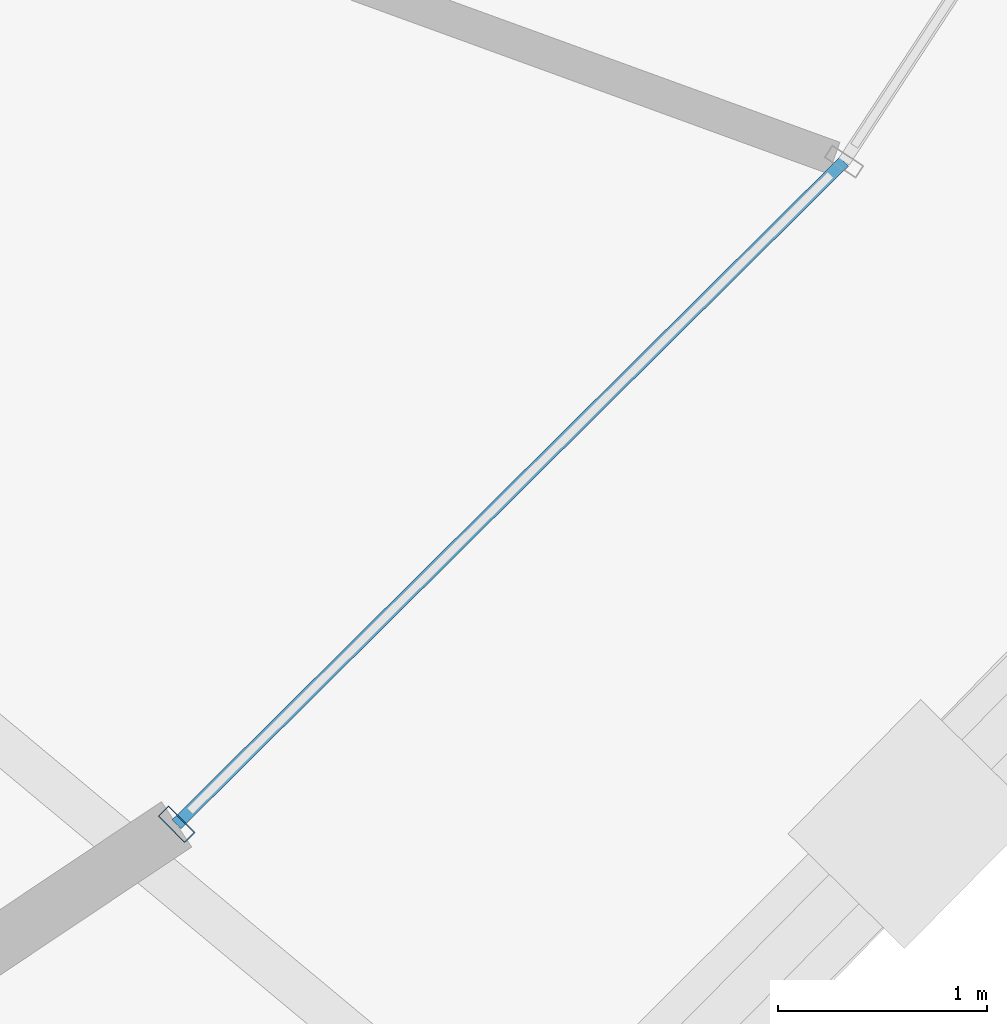
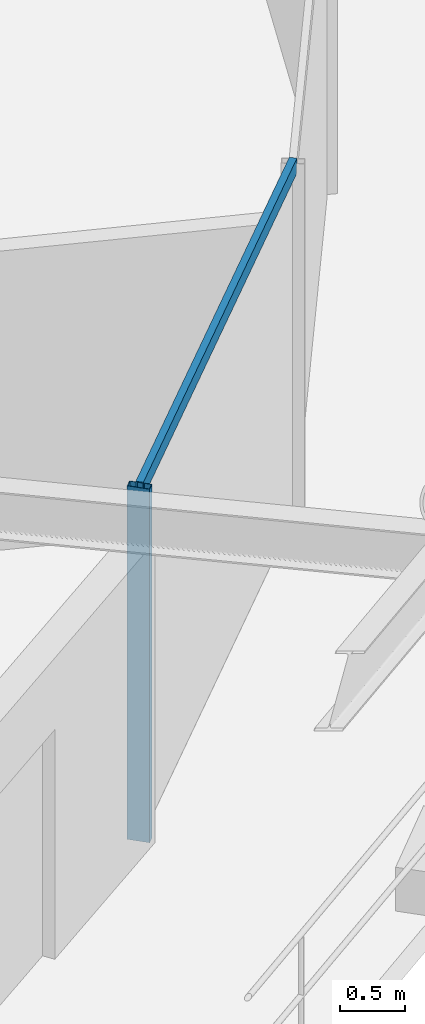
# One storey, part 7 of 19: 2 members, 1 element without a shape of its own.
"""IFC4 building model written with IfcOpenShell, lengths in metres."""

from ifc_helpers import new_model, si_unit, direction, frame, origin, origin_2d, place, context, subcontext, project, spatial, hollow_rectangle, extrude, material, layer, layer_set, material_profile, profile_set, type_object, element, aggregate, save


model = new_model("IFC4")

# Units and contexts
model_context = context("Model", 3, precision=1e-05, world=origin(), true_north=direction((0.0, 1.0)))
body_context = subcontext(model_context, "Body", "Model", "MODEL_VIEW")
ifc_project = project(units=[si_unit("LENGTHUNIT", "METRE"), si_unit("AREAUNIT", "SQUARE_METRE"), si_unit("VOLUMEUNIT", "CUBIC_METRE"), si_unit("PLANEANGLEUNIT", "RADIAN"), si_unit("MASSUNIT", "GRAM", prefix="KILO")], contexts=[model_context])

# Site, building, storey
site_placement = place(None, origin())
site = spatial("IfcSite", under=ifc_project, at=site_placement, CompositionType="ELEMENT")
building_placement = place(site_placement, origin())
building = spatial("IfcBuilding", under=site, at=building_placement, Name="Veldorina Hangang Commons", CompositionType="ELEMENT")
storey_placement = place(building_placement, frame((0.0, 0.0, 164.0)))
storey = spatial("IfcBuildingStorey", under=building, at=storey_placement, Name="L42", CompositionType="ELEMENT", Elevation=164.0)

# Curtain wall, members
ifc_material_1 = material(Name="Glass Low-E Triple IGU", Category="glass")
ifc_layer = layer(ifc_material_1, 0.179931640625)
ifc_layer_set = layer_set([ifc_layer], Name="Glass Low-E Triple IGU")
curtain_wall_type = type_object("IfcCurtainWallType", Name="CW-SYS-Z2", PredefinedType="NOTDEFINED", material=ifc_layer_set)
curtain_wall_placement = place(storey_placement, origin())
curtain_wall = element("IfcCurtainWall", 1, at=curtain_wall_placement, inside=storey, type_object=curtain_wall_type, Name="L42 unitised curtain wall CW-L42-R2", PredefinedType="NOTDEFINED")
ifc_material_2 = material(Name="Aluminium Anodized AA6063-T6", Category="aluminium")
ifc_material_profile_1 = material_profile(ifc_material_2, hollow_rectangle(XDim=0.070068359375, YDim=0.179931640625, WallThickness=0.00390625, at=origin_2d()), Name="ALU-RHS-180x70x4")
ifc_profile_set_1 = profile_set([ifc_material_profile_1], Name="Aluminium Anodized AA6063-T6")
member_type_1 = type_object("IfcMemberType", Name="CW-MUL-180", PredefinedType="MULLION", material=ifc_profile_set_1)
member_1_placement = place(storey_placement, frame((50.11767578125, 9.236083984375, 0.0), z_axis=(0.0, 0.0, 1.0), x_axis=(0.709607630125, 0.704597055961, 0.0)))
member_1 = element("IfcMember", 2, at=member_1_placement, type_object=member_type_1, Name="CW-L42-R2 vertical mullion 1", PredefinedType="MULLION", context=body_context, shape_type="SweptSolid", body=[
    extrude(hollow_rectangle(XDim=0.070068359375, YDim=0.179931640625, WallThickness=0.00390625, at=origin_2d()), origin(), (0.0, 0.0, 1.0), 3.31005859375),
])
ifc_material_profile_2 = material_profile(ifc_material_2, hollow_rectangle(XDim=0.06005859375, YDim=0.139892578125, WallThickness=0.00341796875, at=origin_2d()), Name="ALU-RHS-140x60x3.5")
ifc_profile_set_2 = profile_set([ifc_material_profile_2], Name="Aluminium Anodized AA6063-T6")
member_type_2 = type_object("IfcMemberType", Name="CW-TRN-140", PredefinedType="USERDEFINED", material=ifc_profile_set_2)
member_2_placement = place(storey_placement, frame((50.11767578125, 9.236083984375, 3.27001953125), z_axis=(0.709630442341, 0.704574080777, 0.0), x_axis=(-0.704574080777, 0.709630442341, 0.0)))
member_2 = element("IfcMember", 3, at=member_2_placement, type_object=member_type_2, Name="CW-L42-R2 facet 1 transom 1", ObjectType="TRANSOM", PredefinedType="USERDEFINED", context=body_context, shape_type="SweptSolid", body=[
    extrude(hollow_rectangle(XDim=0.06005859375, YDim=0.139892578125, WallThickness=0.00341796875, at=origin_2d()), origin(), (0.0, 0.0, 1.0), 4.490478515625),
])
aggregate(curtain_wall, [member_1, member_2])

save(model, "model.ifc")
